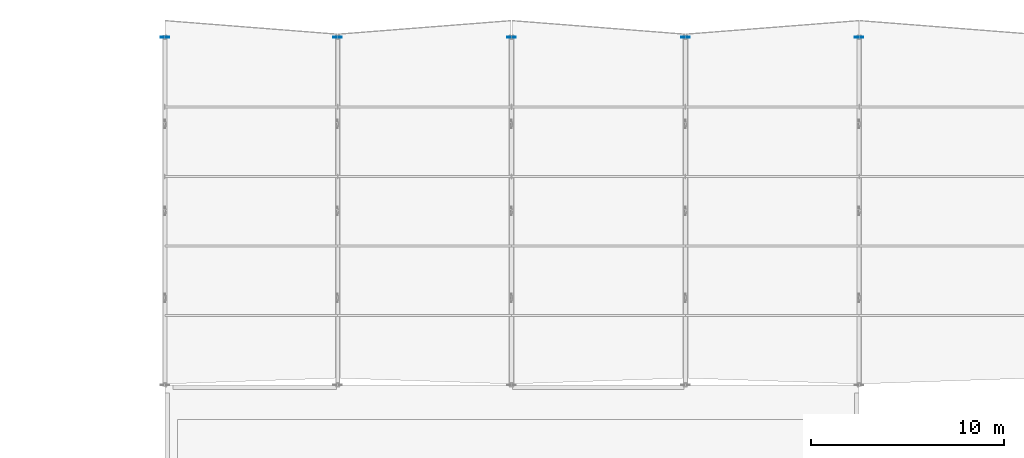
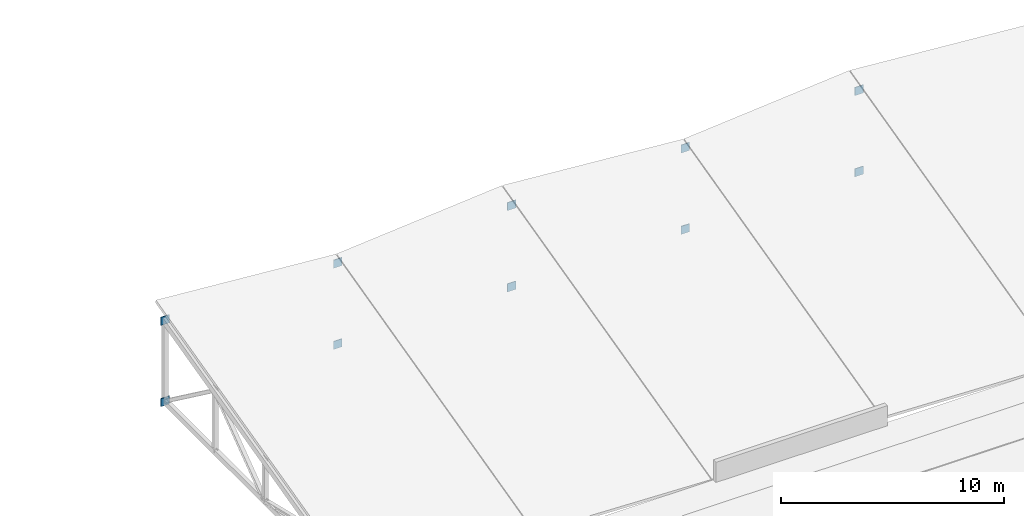
# One storey, part 26 of 36: 10 plates.
"""IFC4 building model written with IfcOpenShell, lengths in metres."""

from ifc_helpers import new_model, si_unit, direction, frame, origin, origin_2d, place, context, subcontext, project, spatial, rectangle, extrude, material, layer, layer_set, type_object, element, save


model = new_model("IFC4")

# Units and contexts
model_context = context("Model", 3, precision=1e-05, world=origin(), true_north=direction((0.0, 1.0)))
body_context = subcontext(model_context, "Body", "Model", "MODEL_VIEW")
ifc_project = project(units=[si_unit("LENGTHUNIT", "METRE"), si_unit("AREAUNIT", "SQUARE_METRE"), si_unit("VOLUMEUNIT", "CUBIC_METRE"), si_unit("PLANEANGLEUNIT", "RADIAN"), si_unit("MASSUNIT", "GRAM", prefix="KILO")], contexts=[model_context])

# Site, building, storey
site_placement = place(None, origin())
site = spatial("IfcSite", under=ifc_project, at=site_placement, CompositionType="ELEMENT")
building_placement = place(site_placement, origin())
building = spatial("IfcBuilding", under=site, at=building_placement, Name="Montelvaro Courts of Justice", CompositionType="ELEMENT")
storey_placement = place(building_placement, frame((0.0, 0.0, 23.39990234375)))
storey = spatial("IfcBuildingStorey", under=building, at=storey_placement, Name="L05", CompositionType="ELEMENT", Elevation=23.39990234375)

# Plates
ifc_material = material(Name="Steel S355", Category="steel")
ifc_layer = layer(ifc_material, 0.035888671875)
ifc_layer_set = layer_set([ifc_layer], Name="Steel S355")
plate_type = type_object("IfcPlateType", Name="EndCapPlate_36", PredefinedType="USERDEFINED", material=ifc_layer_set)
for number, where, z_axis, x_axis, name in (
    (1, (99.050048828125, 96.0, -0.519775390625), (0.0, 0.0, 1.0), (1.0, 0.0, 0.0), "Roof Truss End Cap Plate CP-02 ROOF-V2-VTR01-B1"),
    (2, (99.050048828125, 96.0, 3.93017578125), (0.0, 0.0, 1.0), (1.0, 0.0, 0.0), "Roof Truss End Cap Plate CP-02 ROOF-V2-VTR01-T1"),
    (3, (108.0, 96.0, -0.519775390625), (0.0, 0.0, 1.0), (1.0, 0.0, 0.0), "Roof Truss End Cap Plate CP-02 ROOF-V2-VTR02-B1"),
    (4, (108.0, 96.0, 3.93017578125), (0.0, 0.0, 1.0), (1.0, 0.0, 0.0), "Roof Truss End Cap Plate CP-02 ROOF-V2-VTR02-T1"),
    (5, (117.0, 96.0, -0.519775390625), (0.0, 0.0, 1.0), (1.0, 0.0, 0.0), "Roof Truss End Cap Plate CP-02 ROOF-V2-VTR03-B1"),
    (6, (117.0, 96.0, 3.93017578125), (0.0, 0.0, 1.0), (1.0, 0.0, 0.0), "Roof Truss End Cap Plate CP-02 ROOF-V2-VTR03-T1"),
    (7, (126.0, 96.0, -0.519775390625), (0.0, 0.0, 1.0), (1.0, 0.0, 0.0), "Roof Truss End Cap Plate CP-02 ROOF-V2-VTR04-B1"),
    (8, (126.0, 96.0, 3.93017578125), (0.0, 0.0, 1.0), (1.0, 0.0, 0.0), "Roof Truss End Cap Plate CP-02 ROOF-V2-VTR04-T1"),
    (9, (135.0, 96.0, -0.519775390625), (0.0, 0.0, 1.0), (1.0, 0.0, 0.0), "Roof Truss End Cap Plate CP-02 ROOF-V2-VTR05-B1"),
    (10, (135.0, 96.0, 3.93017578125), (0.0, 0.0, 1.0), (1.0, 0.0, 0.0), "Roof Truss End Cap Plate CP-02 ROOF-V2-VTR05-T1"),
):
    element("IfcPlate", number, at=place(storey_placement, frame(where, z_axis=z_axis, x_axis=x_axis)), inside=storey, type_object=plate_type, Name=name, ObjectType="GUSSET PLATE", PredefinedType="USERDEFINED", context=body_context, shape_type="SweptSolid", body=[
        extrude(rectangle(XDim=0.43994140625, YDim=0.035888671875, at=origin_2d()), origin(), (0.0, 0.0, 1.0), 0.43994140625),
    ])

save(model, "model.ifc")
